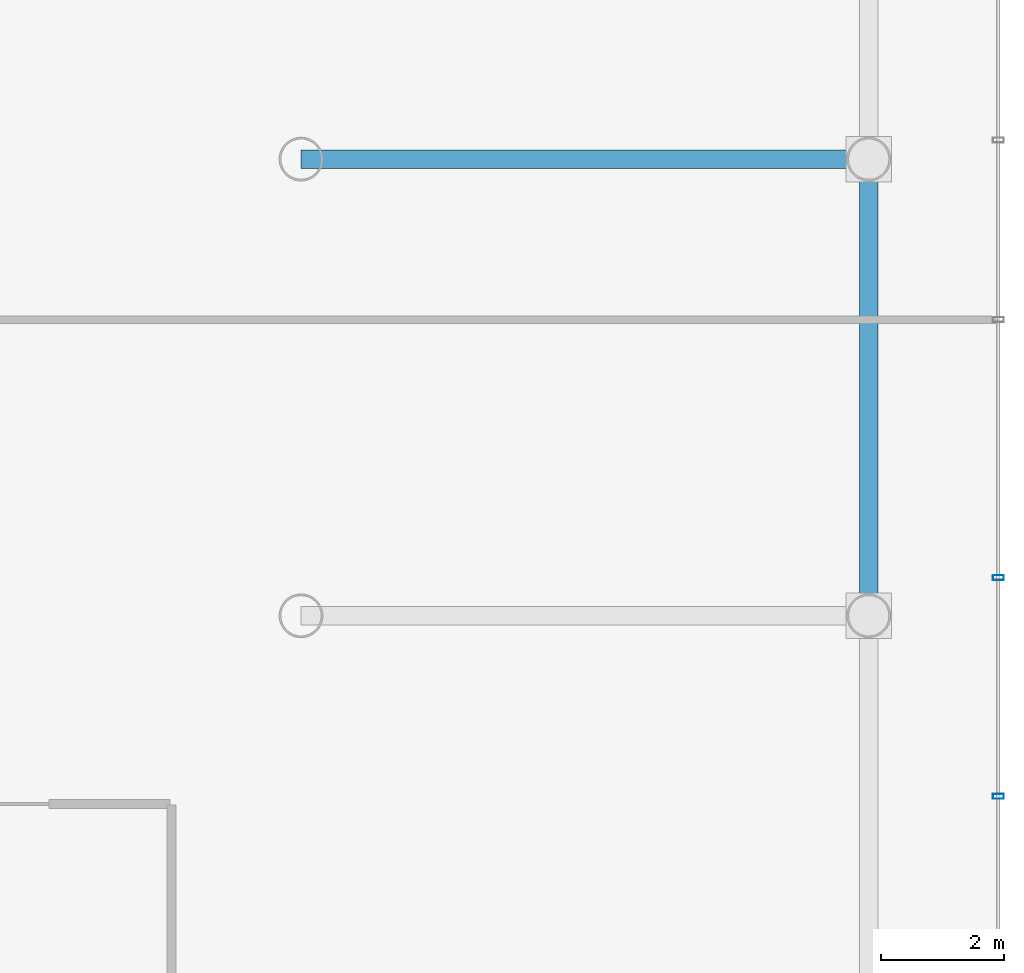
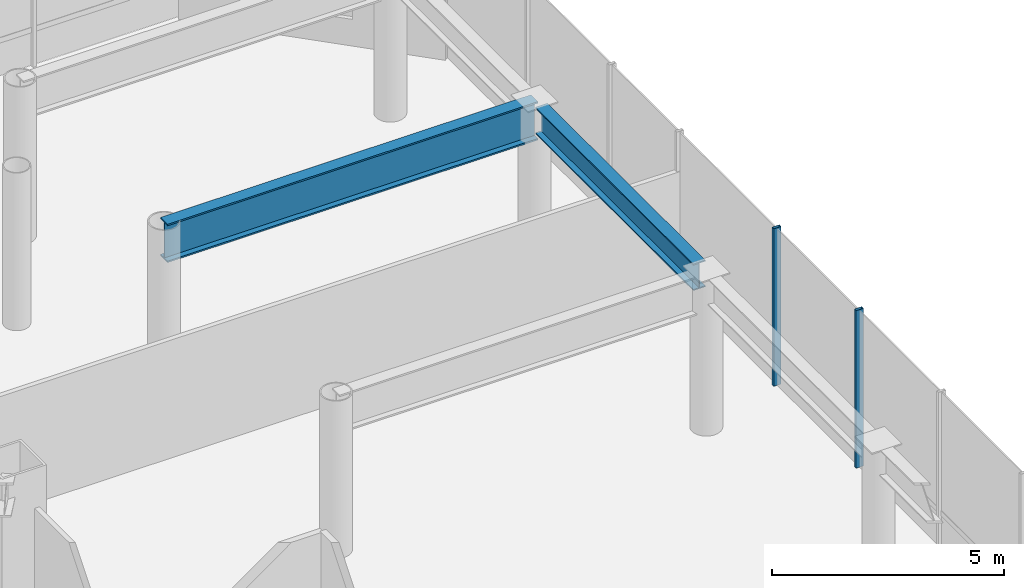
# One storey, part 33 of 43: 2 beams, 2 members, 1 element without a shape of its own.
"""IFC4 building model written with IfcOpenShell, lengths in metres."""

from ifc_helpers import new_model, si_unit, direction, frame, origin, origin_2d, place, context, subcontext, project, spatial, hollow_rectangle, i_section, extrude, material, layer, layer_set, material_profile, profile_set, type_object, element, aggregate, save


model = new_model("IFC4")

# Units and contexts
model_context = context("Model", 3, precision=1e-05, world=origin(), true_north=direction((0.0, 1.0)))
body_context = subcontext(model_context, "Body", "Model", "MODEL_VIEW")
ifc_project = project(units=[si_unit("LENGTHUNIT", "METRE"), si_unit("AREAUNIT", "SQUARE_METRE"), si_unit("VOLUMEUNIT", "CUBIC_METRE"), si_unit("PLANEANGLEUNIT", "RADIAN"), si_unit("MASSUNIT", "GRAM", prefix="KILO")], contexts=[model_context])

# Site, building, storey
site_placement = place(None, origin())
site = spatial("IfcSite", under=ifc_project, at=site_placement, CompositionType="ELEMENT")
building_placement = place(site_placement, origin())
building = spatial("IfcBuilding", under=site, at=building_placement, Name="Zarrinselat Tower", CompositionType="ELEMENT")
storey_placement = place(building_placement, frame((0.0, 0.0, 5.10009765625)))
storey = spatial("IfcBuildingStorey", under=building, at=storey_placement, Name="L01", CompositionType="ELEMENT", Elevation=5.10009765625)

# Beams
ifc_material_1 = material(Name="Steel S355J2", Category="steel")
ifc_material_profile_1 = material_profile(ifc_material_1, i_section(OverallWidth=0.300048828125, OverallDepth=0.699951171875, WebThickness=0.01708984375, FlangeThickness=0.031982421875, at=origin_2d()), Name="HEB 700")
ifc_profile_set_1 = profile_set([ifc_material_profile_1], Name="Steel S355J2")
beam_type_1 = type_object("IfcBeamType", Name="BM-HEB700", PredefinedType="SPANDREL", material=ifc_profile_set_1)
beam_1_placement = place(storey_placement, frame((77.199951171875, 33.5, 3.789794921875), z_axis=(0.0, 1.0, 0.0), x_axis=(-1.0, 0.0, 0.0)))
element("IfcBeam", 1, at=beam_1_placement, inside=storey, type_object=beam_type_1, Name="L01 Podium Perimeter Beam E-33", PredefinedType="SPANDREL", context=body_context, shape_type="SweptSolid", body=[
    extrude(i_section(OverallWidth=0.300048828125, OverallDepth=0.699951171875, WebThickness=0.01708984375, FlangeThickness=0.031982421875, at=origin_2d()), origin(), (0.0, 0.0, 1.0), 6.800048828125),
])
ifc_material_2 = material(Name="Steel S460M", Category="steel")
ifc_material_profile_2 = material_profile(ifc_material_2, i_section(OverallWidth=0.302001953125, OverallDepth=1.008056640625, WebThickness=0.02099609375, FlangeThickness=0.0400390625, at=origin_2d()), Name="HEM 1000")
ifc_profile_set_2 = profile_set([ifc_material_profile_2], Name="Steel S460M")
beam_type_2 = type_object("IfcBeamType", Name="BM-PDTR-HEM1000", PredefinedType="BEAM", material=ifc_profile_set_2)
beam_2_placement = place(storey_placement, frame((68.0, 40.60009765625, 3.635986328125), z_axis=(1.0, 0.0, 0.0), x_axis=(0.0, 1.0, 0.0)))
element("IfcBeam", 2, at=beam_2_placement, inside=storey, type_object=beam_type_2, Name="L01 Podium Transfer Girder E-40", PredefinedType="BEAM", context=body_context, shape_type="SweptSolid", body=[
    extrude(i_section(OverallWidth=0.302001953125, OverallDepth=1.008056640625, WebThickness=0.02099609375, FlangeThickness=0.0400390625, at=origin_2d()), origin(), (0.0, 0.0, 1.0), 9.199951171875),
])

# Curtain wall, members
ifc_material_3 = material(Name="Extruded Aluminium Alloy EN AW-6063 T6", Category="aluminium")
ifc_layer = layer(ifc_material_3, 0.2099609375)
ifc_layer_set = layer_set([ifc_layer], Name="Extruded Aluminium Alloy EN AW-6063 T6")
curtain_wall_type = type_object("IfcCurtainWallType", Name="CWS-POD", PredefinedType="NOTDEFINED", material=ifc_layer_set)
curtain_wall_placement = place(storey_placement, origin())
curtain_wall = element("IfcCurtainWall", 3, at=curtain_wall_placement, inside=storey, type_object=curtain_wall_type, Name="L01 Unitised Curtain Wall CW-L01-F3", PredefinedType="NOTDEFINED")
ifc_material_4 = material(Name="Extruded Aluminium Alloy EN AW-6063 T6", Category="aluminium")
ifc_material_profile_3 = material_profile(ifc_material_4, hollow_rectangle(XDim=0.080078125, YDim=0.179931640625, WallThickness=0.0048828125, at=origin_2d()), Name="RHS 180x80x5")
ifc_profile_set_3 = profile_set([ifc_material_profile_3], Name="Extruded Aluminium Alloy EN AW-6063 T6")
member_type = type_object("IfcMemberType", Name="MEM-CW-MUL", PredefinedType="MULLION", material=ifc_profile_set_3)
member_1_placement = place(storey_placement, frame((79.300048828125, 30.272705078125, 0.0), z_axis=(0.0, 0.0, 1.0), x_axis=(0.0, 1.0, 0.0)))
member_1 = element("IfcMember", 4, at=member_1_placement, type_object=member_type, Name="CW-L01-F3 Mullion 7", PredefinedType="MULLION", context=body_context, shape_type="SweptSolid", body=[
    extrude(hollow_rectangle(XDim=0.080078125, YDim=0.179931640625, WallThickness=0.0048828125, at=origin_2d()), origin(), (0.0, 0.0, 1.0), 4.139892578125),
])
member_2_placement = place(storey_placement, frame((79.300048828125, 33.818115234375, 0.0), z_axis=(0.0, 0.0, 1.0), x_axis=(0.0, 1.0, 0.0)))
member_2 = element("IfcMember", 5, at=member_2_placement, type_object=member_type, Name="CW-L01-F3 Mullion 8", PredefinedType="MULLION", context=body_context, shape_type="SweptSolid", body=[
    extrude(hollow_rectangle(XDim=0.080078125, YDim=0.179931640625, WallThickness=0.0048828125, at=origin_2d()), origin(), (0.0, 0.0, 1.0), 4.139892578125),
])
aggregate(curtain_wall, [member_1, member_2])

save(model, "model.ifc")
